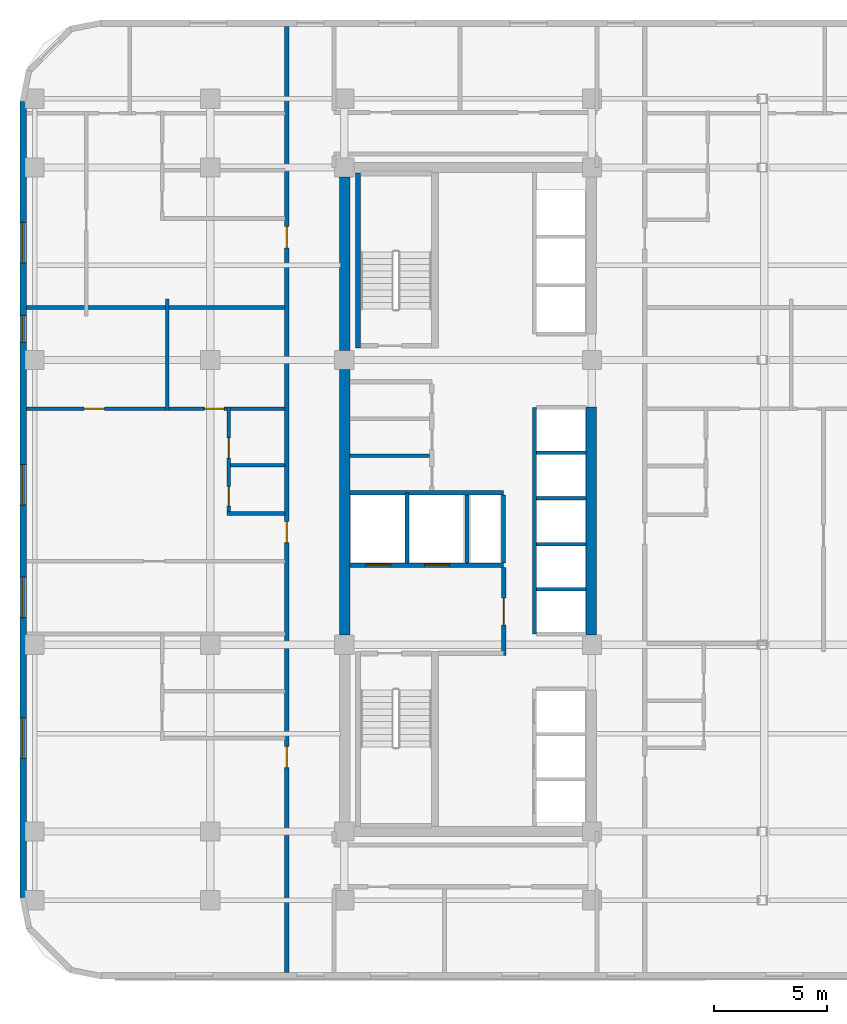
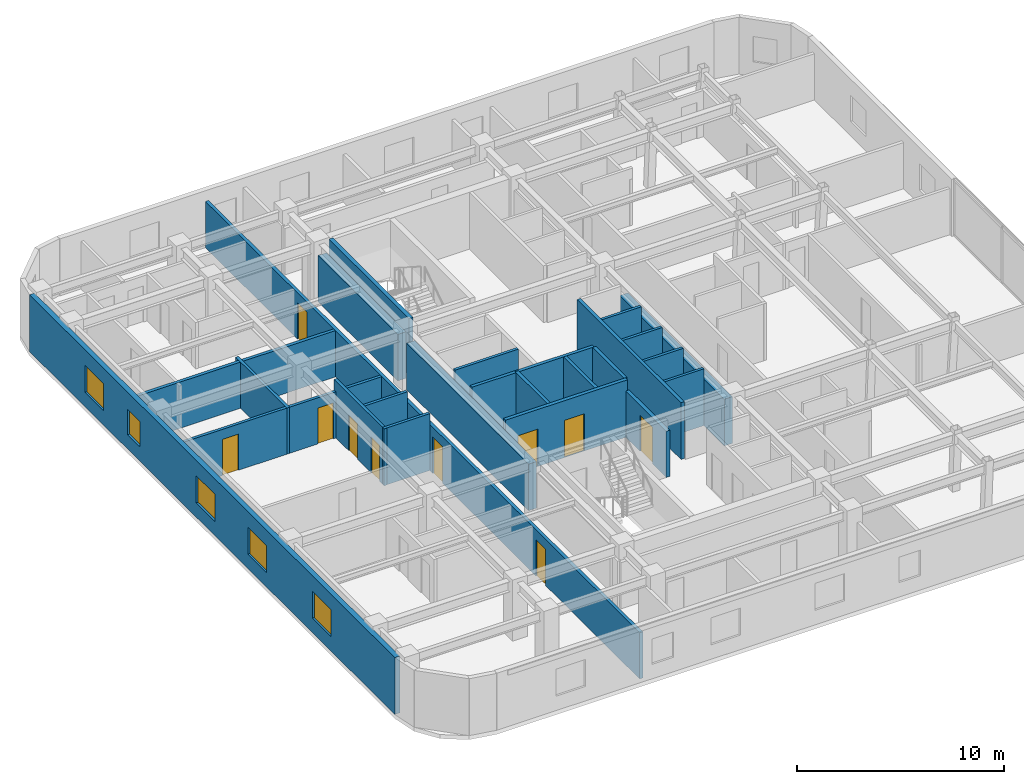
# One storey, part 5 of 12: 24 walls, 10 doors, 5 windows, 15 openings.
"""IFC4 building model written with IfcOpenShell, lengths in metres."""

from ifc_helpers import new_model, si_unit, direction, frame, frame_2d, origin, place, context, subcontext, project, spatial, rectangle, extrude, material, layer, layer_set, type_object, element, fill, save


model = new_model("IFC4")

# Units and contexts
model_context = context("Model", 3, precision=1e-05, world=origin(), true_north=direction((0.0, 1.0)))
body_context = subcontext(model_context, "Body", "Model", "MODEL_VIEW")
ifc_project = project(units=[si_unit("LENGTHUNIT", "METRE"), si_unit("AREAUNIT", "SQUARE_METRE"), si_unit("VOLUMEUNIT", "CUBIC_METRE"), si_unit("PLANEANGLEUNIT", "RADIAN"), si_unit("MASSUNIT", "GRAM", prefix="KILO")], contexts=[model_context])

# Site, building, storey
site_placement = place(None, origin())
site = spatial("IfcSite", under=ifc_project, at=site_placement, CompositionType="ELEMENT")
building_placement = place(site_placement, origin())
building = spatial("IfcBuilding", under=site, at=building_placement, Name="Ochreholt Gables", CompositionType="ELEMENT")
storey_placement = place(building_placement, frame((0.0, 0.0, 80.39990234375)))
storey = spatial("IfcBuildingStorey", under=building, at=storey_placement, Name="L20", CompositionType="ELEMENT", Elevation=80.39990234375)

# Walls
ifc_material_1 = material(Name="Concrete 60 MPa", Category="concrete")
ifc_layer_1 = layer(ifc_material_1, 0.449951171875, Name="Concrete 60 MPa")
ifc_layer_set_1 = layer_set([ifc_layer_1], Name="Concrete 60 MPa")
wall_type_1 = type_object("IfcWallType", Name="WALL-CSW-450", PredefinedType="SHEAR", material=ifc_layer_set_1)
wall_1_placement = place(storey_placement, frame((24.22509765625, 17.97509765625, 0.0), z_axis=(0.0, 0.0, 1.0), x_axis=(0.0, 1.0, 0.0)))
element("IfcWall", 1, at=wall_1_placement, inside=storey, type_object=wall_type_1, Name="L20 Core West Shear Wall WM", PredefinedType="SHEAR", context=body_context, shape_type="SweptSolid", body=[
    extrude(rectangle(XDim=11.7998046875, YDim=0.449951171875, at=frame_2d((5.89990234375, 0.0))), origin(), (0.0, 0.0, 1.0), 2.7490234375),
])
wall_2_placement = place(storey_placement, frame((24.22509765625, 30.625, 0.0), z_axis=(0.0, 0.0, 1.0), x_axis=(0.0, 1.0, 0.0)))
element("IfcWall", 2, at=wall_2_placement, inside=storey, type_object=wall_type_1, Name="L20 Core West Shear Wall WN", PredefinedType="SHEAR", context=body_context, shape_type="SweptSolid", body=[
    extrude(rectangle(XDim=7.699951171875, YDim=0.449951171875, at=frame_2d((3.85009765625, 0.0))), origin(), (0.0, 0.0, 1.0), 2.7490234375),
])
wall_3_placement = place(storey_placement, frame((35.175048828125, 17.97509765625, 0.0), z_axis=(0.0, 0.0, 1.0), x_axis=(0.0, 1.0, 0.0)))
element("IfcWall", 3, at=wall_3_placement, inside=storey, type_object=wall_type_1, Name="L20 Core Central-East Shear Wall", PredefinedType="SHEAR", context=body_context, shape_type="SweptSolid", body=[
    extrude(rectangle(XDim=10.125, YDim=0.449951171875, at=frame_2d((5.0625, 0.0))), origin(), (0.0, 0.0, 1.0), 2.7490234375),
])

# Wall, openings, windows
ifc_material_2 = material(Name="Precast concrete 40 MPa", Category="concrete")
ifc_layer_2 = layer(ifc_material_2, 0.280029296875, Name="Precast concrete 40 MPa")
ifc_layer_set_2 = layer_set([ifc_layer_2], Name="Precast concrete 40 MPa")
wall_type_2 = type_object("IfcWallType", Name="WALL-EXT-280", PredefinedType="SOLIDWALL", material=ifc_layer_set_2)
wall_4_placement = place(storey_placement, frame((9.93994140625, 41.679931640625, 0.0), z_axis=(0.0, 0.0, 1.0), x_axis=(0.0, -1.0, 0.0)))
wall_4 = element("IfcWall", 4, at=wall_4_placement, inside=storey, type_object=wall_type_2, Name="L20 West Exterior Wall", PredefinedType="SOLIDWALL", context=body_context, shape_type="SweptSolid", body=[
    extrude(rectangle(XDim=35.35986328125, YDim=0.280029296875, at=frame_2d((17.679931640625, 0.0))), origin(), (0.0, 0.0, 1.0), 3.360107421875),
])
opening_1_placement = place(wall_4_placement, frame((27.3798828125, 0.0, 0.85009765625)))
opening_1 = element("IfcOpeningElement", 5, at=opening_1_placement, cuts=wall_4, Name="Opening WN-1", PredefinedType="OPENING", context=body_context, shape_type="SweptSolid", body=[
    extrude(rectangle(XDim=1.800048828125, YDim=1.60009765625, at=frame_2d((0.89990234375, 0.800048828125))), frame((0.0, 0.14990234375, 0.0), z_axis=(0.0, -1.0, 0.0), x_axis=(1.0, 0.0, 0.0)), (0.0, 0.0, 1.0), 0.300048828125),
])
opening_2_placement = place(wall_4_placement, frame((21.131103515625, 0.0, 0.85009765625)))
opening_2 = element("IfcOpeningElement", 6, at=opening_2_placement, cuts=wall_4, Name="Opening WN-1", PredefinedType="OPENING", context=body_context, shape_type="SweptSolid", body=[
    extrude(rectangle(XDim=1.800048828125, YDim=1.60009765625, at=frame_2d((0.89990234375, 0.800048828125))), frame((0.0, 0.14990234375, 0.0), z_axis=(0.0, -1.0, 0.0), x_axis=(1.0, 0.0, 0.0)), (0.0, 0.0, 1.0), 0.300048828125),
])
opening_3_placement = place(wall_4_placement, frame((16.134033203125, 0.0, 0.85009765625)))
opening_3 = element("IfcOpeningElement", 7, at=opening_3_placement, cuts=wall_4, Name="Opening WN-1", PredefinedType="OPENING", context=body_context, shape_type="SweptSolid", body=[
    extrude(rectangle(XDim=1.800048828125, YDim=1.60009765625, at=frame_2d((0.89990234375, 0.800048828125))), frame((0.0, 0.14990234375, 0.0), z_axis=(0.0, -1.0, 0.0), x_axis=(1.0, 0.0, 0.0)), (0.0, 0.0, 1.0), 0.300048828125),
])
opening_4_placement = place(wall_4_placement, frame((9.5, 0.0, 0.85009765625)))
opening_4 = element("IfcOpeningElement", 8, at=opening_4_placement, cuts=wall_4, Name="Opening WN-3", PredefinedType="OPENING", context=body_context, shape_type="SweptSolid", body=[
    extrude(rectangle(XDim=1.199951171875, YDim=1.5, at=frame_2d((0.60009765625, 0.75))), frame((0.0, 0.14990234375, 0.0), z_axis=(0.0, -1.0, 0.0), x_axis=(1.0, 0.0, 0.0)), (0.0, 0.0, 1.0), 0.300048828125),
])
opening_5_placement = place(wall_4_placement, frame((5.364990234375, 0.0, 0.85009765625)))
opening_5 = element("IfcOpeningElement", 9, at=opening_5_placement, cuts=wall_4, Name="Opening WN-1", PredefinedType="OPENING", context=body_context, shape_type="SweptSolid", body=[
    extrude(rectangle(XDim=1.800048828125, YDim=1.60009765625, at=frame_2d((0.89990234375, 0.800048828125))), frame((0.0, 0.14990234375, 0.0), z_axis=(0.0, -1.0, 0.0), x_axis=(1.0, 0.0, 0.0)), (0.0, 0.0, 1.0), 0.300048828125),
])
ifc_material_3 = material(Name="Triple-Glazed Thermally Broken Aluminium Window", Category="aluminium")
window_type_1 = type_object("IfcWindowType", Name="WIN-RES-1200", PartitioningType="SINGLE_PANEL", PredefinedType="WINDOW", material=ifc_material_3)
window_1_placement = place(opening_4_placement, origin())
window_1 = element("IfcWindow", 10, at=window_1_placement, inside=storey, type_object=window_type_1, Name="L20 Window W-EXT-W-L20-4", OverallHeight=1.5, OverallWidth=1.199951171875, PartitioningType="SINGLE_PANEL", PredefinedType="WINDOW", context=body_context, shape_type="SweptSolid", body=[
    extrude(rectangle(XDim=1.199951171875, YDim=1.5, at=frame_2d((0.60009765625, 0.75))), frame((0.0, 0.030029296875, 0.0), z_axis=(0.0, -1.0, 0.0), x_axis=(1.0, 0.0, 0.0)), (0.0, 0.0, 1.0), 0.06005859375),
])
fill(opening_4, window_1)
window_type_2 = type_object("IfcWindowType", Name="WIN-RES-1800", PartitioningType="SINGLE_PANEL", PredefinedType="WINDOW", material=ifc_material_3)
window_2_placement = place(opening_1_placement, origin())
window_2 = element("IfcWindow", 11, at=window_2_placement, inside=storey, type_object=window_type_2, Name="L20 Window W-EXT-W-L20-1", OverallHeight=1.60009765625, OverallWidth=1.800048828125, PartitioningType="SINGLE_PANEL", PredefinedType="WINDOW", context=body_context, shape_type="SweptSolid", body=[
    extrude(rectangle(XDim=1.800048828125, YDim=1.60009765625, at=frame_2d((0.89990234375, 0.800048828125))), frame((0.0, 0.030029296875, 0.0), z_axis=(0.0, -1.0, 0.0), x_axis=(1.0, 0.0, 0.0)), (0.0, 0.0, 1.0), 0.06005859375),
])
fill(opening_1, window_2)
window_3_placement = place(opening_2_placement, origin())
window_3 = element("IfcWindow", 12, at=window_3_placement, inside=storey, type_object=window_type_2, Name="L20 Window W-EXT-W-L20-2", OverallHeight=1.60009765625, OverallWidth=1.800048828125, PartitioningType="SINGLE_PANEL", PredefinedType="WINDOW", context=body_context, shape_type="SweptSolid", body=[
    extrude(rectangle(XDim=1.800048828125, YDim=1.60009765625, at=frame_2d((0.89990234375, 0.800048828125))), frame((0.0, 0.030029296875, 0.0), z_axis=(0.0, -1.0, 0.0), x_axis=(1.0, 0.0, 0.0)), (0.0, 0.0, 1.0), 0.06005859375),
])
fill(opening_2, window_3)
window_4_placement = place(opening_3_placement, origin())
window_4 = element("IfcWindow", 13, at=window_4_placement, inside=storey, type_object=window_type_2, Name="L20 Window W-EXT-W-L20-3", OverallHeight=1.60009765625, OverallWidth=1.800048828125, PartitioningType="SINGLE_PANEL", PredefinedType="WINDOW", context=body_context, shape_type="SweptSolid", body=[
    extrude(rectangle(XDim=1.800048828125, YDim=1.60009765625, at=frame_2d((0.89990234375, 0.800048828125))), frame((0.0, 0.030029296875, 0.0), z_axis=(0.0, -1.0, 0.0), x_axis=(1.0, 0.0, 0.0)), (0.0, 0.0, 1.0), 0.06005859375),
])
fill(opening_3, window_4)
window_5_placement = place(opening_5_placement, origin())
window_5 = element("IfcWindow", 14, at=window_5_placement, inside=storey, type_object=window_type_2, Name="L20 Window W-EXT-W-L20-5", OverallHeight=1.60009765625, OverallWidth=1.800048828125, PartitioningType="SINGLE_PANEL", PredefinedType="WINDOW", context=body_context, shape_type="SweptSolid", body=[
    extrude(rectangle(XDim=1.800048828125, YDim=1.60009765625, at=frame_2d((0.89990234375, 0.800048828125))), frame((0.0, 0.030029296875, 0.0), z_axis=(0.0, -1.0, 0.0), x_axis=(1.0, 0.0, 0.0)), (0.0, 0.0, 1.0), 0.06005859375),
])
fill(opening_5, window_5)

# Wall, openings, doors
ifc_material_4 = material(Name="Concrete 40 MPa", Category="concrete")
ifc_layer_3 = layer(ifc_material_4, 0.199951171875, Name="Concrete 40 MPa")
ifc_layer_set_3 = layer_set([ifc_layer_3], Name="Concrete 40 MPa")
wall_type_3 = type_object("IfcWallType", Name="WALL-INT-CF200", PredefinedType="STANDARD", material=ifc_layer_set_3)
wall_5_placement = place(storey_placement, frame((24.449951171875, 21.090087890625, 0.0), z_axis=(0.0, 0.0, 1.0), x_axis=(1.0, 0.0, 0.0)))
wall_5 = element("IfcWall", 15, at=wall_5_placement, inside=storey, type_object=wall_type_3, Name="L20 Interior Wall WI-FFN-L20", PredefinedType="STANDARD", context=body_context, shape_type="SweptSolid", body=[
    extrude(rectangle(XDim=6.830078125, YDim=0.199951171875, at=frame_2d((3.4150390625, 0.0))), origin(), (0.0, 0.0, 1.0), 3.360107421875),
])
opening_6_placement = place(wall_5_placement, frame((0.719970703125, 0.0, 0.0)))
opening_6 = element("IfcOpeningElement", 16, at=opening_6_placement, cuts=wall_5, Name="Opening LD-FF", PredefinedType="OPENING", context=body_context, shape_type="SweptSolid", body=[
    extrude(rectangle(XDim=1.10009765625, YDim=2.199951171875, at=frame_2d((0.550048828125, 1.10009765625))), frame((0.0, 0.10986328125, 0.0), z_axis=(0.0, -1.0, 0.0), x_axis=(1.0, 0.0, 0.0)), (0.0, 0.0, 1.0), 0.219970703125),
])
opening_7_placement = place(wall_5_placement, frame((3.320068359375, 0.0, 0.0)))
opening_7 = element("IfcOpeningElement", 17, at=opening_7_placement, cuts=wall_5, Name="Opening LD-FF", PredefinedType="OPENING", context=body_context, shape_type="SweptSolid", body=[
    extrude(rectangle(XDim=1.10009765625, YDim=2.199951171875, at=frame_2d((0.550048828125, 1.10009765625))), frame((0.0, 0.10986328125, 0.0), z_axis=(0.0, -1.0, 0.0), x_axis=(1.0, 0.0, 0.0)), (0.0, 0.0, 1.0), 0.219970703125),
])
ifc_material_5 = material(Name="Stainless Steel", Category="steel")
door_type_1 = type_object("IfcDoorType", Name="DR-LFT-FF1100", OperationType="NOTDEFINED", PredefinedType="DOOR", material=ifc_material_5)
door_1_placement = place(opening_6_placement, origin())
door_1 = element("IfcDoor", 18, at=door_1_placement, inside=storey, type_object=door_type_1, Name="L20 Door LD-FF1-L20", OperationType="SLIDING_TO_LEFT", OverallHeight=2.199951171875, OverallWidth=1.10009765625, PredefinedType="DOOR", context=body_context, shape_type="SweptSolid", body=[
    extrude(rectangle(XDim=1.10009765625, YDim=2.199951171875, at=frame_2d((0.550048828125, 1.10009765625))), frame((0.0, 0.02490234375, 0.0), z_axis=(0.0, -1.0, 0.0), x_axis=(1.0, 0.0, 0.0)), (0.0, 0.0, 1.0), 0.050048828125),
])
fill(opening_6, door_1)
door_2_placement = place(opening_7_placement, origin())
door_2 = element("IfcDoor", 19, at=door_2_placement, inside=storey, type_object=door_type_1, Name="L20 Door LD-FF2-L20", OperationType="SLIDING_TO_LEFT", OverallHeight=2.199951171875, OverallWidth=1.10009765625, PredefinedType="DOOR", context=body_context, shape_type="SweptSolid", body=[
    extrude(rectangle(XDim=1.10009765625, YDim=2.199951171875, at=frame_2d((0.550048828125, 1.10009765625))), frame((0.0, 0.02490234375, 0.0), z_axis=(0.0, -1.0, 0.0), x_axis=(1.0, 0.0, 0.0)), (0.0, 0.0, 1.0), 0.050048828125),
])
fill(opening_7, door_2)

# Wall, opening, door
wall_6_placement = place(storey_placement, frame((31.280029296875, 17.070068359375, 0.0), z_axis=(0.0, 0.0, 1.0), x_axis=(0.0, 1.0, 0.0)))
wall_6 = element("IfcWall", 20, at=wall_6_placement, inside=storey, type_object=wall_type_3, Name="L20 Interior Wall WI-FFE-L20", PredefinedType="STANDARD", context=body_context, shape_type="SweptSolid", body=[
    extrude(rectangle(XDim=3.919921875, YDim=0.199951171875, at=frame_2d((1.9599609375, 0.0))), origin(), (0.0, 0.0, 1.0), 2.731201171875),
])
opening_8_placement = place(wall_6_placement, frame((1.35009765625, 0.0, 0.0)))
opening_8 = element("IfcOpeningElement", 21, at=opening_8_placement, cuts=wall_6, Name="Opening D-FFL", PredefinedType="OPENING", context=body_context, shape_type="SweptSolid", body=[
    extrude(rectangle(XDim=1.199951171875, YDim=2.14990234375, at=frame_2d((0.60009765625, 1.074951171875))), frame((0.0, 0.10986328125, 0.0), z_axis=(0.0, -1.0, 0.0), x_axis=(1.0, 0.0, 0.0)), (0.0, 0.0, 1.0), 0.219970703125),
])
ifc_material_6 = material(Name="Hollow Metal Steel", Category="steel")
door_type_2 = type_object("IfcDoorType", Name="DR-INT-FFL1200", OperationType="NOTDEFINED", PredefinedType="DOOR", material=ifc_material_6)
door_3_placement = place(opening_8_placement, origin())
door_3 = element("IfcDoor", 22, at=door_3_placement, inside=storey, type_object=door_type_2, Name="L20 Door D-FFL-L20", OperationType="SINGLE_SWING_LEFT", OverallHeight=2.14990234375, OverallWidth=1.199951171875, PredefinedType="DOOR", context=body_context, shape_type="SweptSolid", body=[
    extrude(rectangle(XDim=1.199951171875, YDim=2.14990234375, at=frame_2d((0.60009765625, 1.074951171875))), frame((0.0, 0.02490234375, 0.0), z_axis=(0.0, -1.0, 0.0), x_axis=(1.0, 0.0, 0.0)), (0.0, 0.0, 1.0), 0.050048828125),
])
fill(opening_8, door_3)

# Wall, openings, doors
ifc_material_7 = material(Name="Fire-Rated Gypsum Acoustic Partition", Category="gypsum")
ifc_layer_4 = layer(ifc_material_7, 0.179931640625, Name="Fire-Rated Gypsum Acoustic Partition")
ifc_layer_set_4 = layer_set([ifc_layer_4], Name="Fire-Rated Gypsum Acoustic Partition")
wall_type_4 = type_object("IfcWallType", Name="WALL-INT-CR180", PredefinedType="STANDARD", material=ifc_layer_set_4)
wall_7_placement = place(storey_placement, frame((21.64990234375, 2.97998046875, 0.0), z_axis=(0.0, 0.0, 1.0), x_axis=(0.0, 1.0, 0.0)))
wall_7 = element("IfcWall", 23, at=wall_7_placement, inside=storey, type_object=wall_type_4, Name="L20 Interior Wall WI-C1W-L20", PredefinedType="STANDARD", context=body_context, shape_type="SweptSolid", body=[
    extrude(rectangle(XDim=42.0400390625, YDim=0.179931640625, at=frame_2d((21.02001953125, 0.0))), origin(), (0.0, 0.0, 1.0), 2.731201171875),
])
opening_9_placement = place(wall_7_placement, frame((9.115966796875, 0.0, 0.0)))
opening_9 = element("IfcOpeningElement", 24, at=opening_9_placement, cuts=wall_7, Name="Opening D-UN2", PredefinedType="OPENING", context=body_context, shape_type="SweptSolid", body=[
    extrude(rectangle(XDim=0.93994140625, YDim=2.14990234375, at=frame_2d((0.469970703125, 1.074951171875))), frame((0.0, 0.099853515625, 0.0), z_axis=(0.0, -1.0, 0.0), x_axis=(1.0, 0.0, 0.0)), (0.0, 0.0, 1.0), 0.199951171875),
])
opening_10_placement = place(wall_7_placement, frame((19.10009765625, 0.0, 0.0)))
opening_10 = element("IfcOpeningElement", 25, at=opening_10_placement, cuts=wall_7, Name="Opening D-UN2", PredefinedType="OPENING", context=body_context, shape_type="SweptSolid", body=[
    extrude(rectangle(XDim=0.93994140625, YDim=2.14990234375, at=frame_2d((0.469970703125, 1.074951171875))), frame((0.0, 0.099853515625, 0.0), z_axis=(0.0, -1.0, 0.0), x_axis=(1.0, 0.0, 0.0)), (0.0, 0.0, 1.0), 0.199951171875),
])
opening_11_placement = place(wall_7_placement, frame((32.201416015625, 0.0, 0.0)))
opening_11 = element("IfcOpeningElement", 26, at=opening_11_placement, cuts=wall_7, Name="Opening D-UN2", PredefinedType="OPENING", context=body_context, shape_type="SweptSolid", body=[
    extrude(rectangle(XDim=0.93994140625, YDim=2.14990234375, at=frame_2d((0.469970703125, 1.074951171875))), frame((0.0, 0.099853515625, 0.0), z_axis=(0.0, -1.0, 0.0), x_axis=(1.0, 0.0, 0.0)), (0.0, 0.0, 1.0), 0.199951171875),
])
ifc_material_8 = material(Name="Engineered Oak Timber", Category="wood")
door_type_3 = type_object("IfcDoorType", Name="DR-INT-UNT940", OperationType="NOTDEFINED", PredefinedType="DOOR", material=ifc_material_8)
door_4_placement = place(opening_9_placement, origin())
door_4 = element("IfcDoor", 27, at=door_4_placement, inside=storey, type_object=door_type_3, Name="L20 Door D-U-L20W1-ENT", OperationType="SINGLE_SWING_LEFT", OverallHeight=2.14990234375, OverallWidth=0.93994140625, PredefinedType="DOOR", context=body_context, shape_type="SweptSolid", body=[
    extrude(rectangle(XDim=0.93994140625, YDim=2.14990234375, at=frame_2d((0.469970703125, 1.074951171875))), frame((0.0, 0.02490234375, 0.0), z_axis=(0.0, -1.0, 0.0), x_axis=(1.0, 0.0, 0.0)), (0.0, 0.0, 1.0), 0.050048828125),
])
fill(opening_9, door_4)
door_5_placement = place(opening_10_placement, origin())
door_5 = element("IfcDoor", 28, at=door_5_placement, inside=storey, type_object=door_type_3, Name="L20 Door D-U-L20W2-ENT", OperationType="SINGLE_SWING_RIGHT", OverallHeight=2.14990234375, OverallWidth=0.93994140625, PredefinedType="DOOR", context=body_context, shape_type="SweptSolid", body=[
    extrude(rectangle(XDim=0.93994140625, YDim=2.14990234375, at=frame_2d((0.469970703125, 1.074951171875))), frame((0.0, 0.02490234375, 0.0), z_axis=(0.0, -1.0, 0.0), x_axis=(1.0, 0.0, 0.0)), (0.0, 0.0, 1.0), 0.050048828125),
])
fill(opening_10, door_5)
door_6_placement = place(opening_11_placement, origin())
door_6 = element("IfcDoor", 29, at=door_6_placement, inside=storey, type_object=door_type_3, Name="L20 Door D-U-L20W3-ENT", OperationType="SINGLE_SWING_LEFT", OverallHeight=2.14990234375, OverallWidth=0.93994140625, PredefinedType="DOOR", context=body_context, shape_type="SweptSolid", body=[
    extrude(rectangle(XDim=0.93994140625, YDim=2.14990234375, at=frame_2d((0.469970703125, 1.074951171875))), frame((0.0, 0.02490234375, 0.0), z_axis=(0.0, -1.0, 0.0), x_axis=(1.0, 0.0, 0.0)), (0.0, 0.0, 1.0), 0.050048828125),
])
fill(opening_11, door_6)

# Walls
ifc_material_9 = material(Name="Double-Stud Acoustic Demising Wall", Category="gypsum")
ifc_layer_5 = layer(ifc_material_9, 0.179931640625, Name="Double-Stud Acoustic Demising Wall")
ifc_layer_set_5 = layer_set([ifc_layer_5], Name="Double-Stud Acoustic Demising Wall")
wall_type_5 = type_object("IfcWallType", Name="WALL-INT-DM180", PredefinedType="PARTITIONING", material=ifc_layer_set_5)
wall_8_placement = place(storey_placement, frame((10.080078125, 32.52001953125, 0.0), z_axis=(0.0, 0.0, 1.0), x_axis=(1.0, 0.0, 0.0)))
element("IfcWall", 30, at=wall_8_placement, inside=storey, type_object=wall_type_5, Name="L20 Interior Wall WI-UDW3-L20", PredefinedType="PARTITIONING", context=body_context, shape_type="SweptSolid", body=[
    extrude(rectangle(XDim=11.47998046875, YDim=0.179931640625, at=frame_2d((5.739990234375, 0.0))), origin(), (0.0, 0.0, 1.0), 2.731201171875),
])
ifc_material_10 = material(Name="Moisture-Resistant Plumbing Chase Wall", Category="gypsum")
ifc_layer_6 = layer(ifc_material_10, 0.159912109375, Name="Moisture-Resistant Plumbing Chase Wall")
ifc_layer_set_6 = layer_set([ifc_layer_6], Name="Moisture-Resistant Plumbing Chase Wall")
wall_type_6 = type_object("IfcWallType", Name="WALL-INT-PL160", PredefinedType="PLUMBINGWALL", material=ifc_layer_set_6)
wall_9_placement = place(storey_placement, frame((19.0, 23.3798828125, 0.0), z_axis=(0.0, 0.0, 1.0), x_axis=(1.0, 0.0, 0.0)))
element("IfcWall", 31, at=wall_9_placement, inside=storey, type_object=wall_type_6, Name="L20 Interior Wall WU-L20W2-FYS", PredefinedType="PLUMBINGWALL", context=body_context, shape_type="SweptSolid", body=[
    extrude(rectangle(XDim=2.56005859375, YDim=0.159912109375, at=frame_2d((1.280029296875, 0.0))), origin(), (0.0, 0.0, 1.0), 3.360107421875),
])

# Wall, openings, doors
wall_10_placement = place(storey_placement, frame((19.080078125, 23.2900390625, 0.0), z_axis=(0.0, 0.0, 1.0), x_axis=(0.0, 1.0, 0.0)))
wall_10 = element("IfcWall", 32, at=wall_10_placement, inside=storey, type_object=wall_type_6, Name="L20 Interior Wall WU-L20W2-WX", PredefinedType="PLUMBINGWALL", context=body_context, shape_type="SweptSolid", body=[
    extrude(rectangle(XDim=4.830078125, YDim=0.159912109375, at=frame_2d((2.4150390625, 0.0))), origin(), (0.0, 0.0, 1.0), 3.360107421875),
])
opening_12_placement = place(wall_10_placement, frame((0.419921875, 0.0, 0.0)))
opening_12 = element("IfcOpeningElement", 33, at=opening_12_placement, cuts=wall_10, Name="Opening D-BT1", PredefinedType="OPENING", context=body_context, shape_type="SweptSolid", body=[
    extrude(rectangle(XDim=0.860107421875, YDim=2.1201171875, at=frame_2d((0.43017578125, 1.06005859375))), frame((0.0, 0.08984375, 0.0), z_axis=(0.0, -1.0, 0.0), x_axis=(1.0, 0.0, 0.0)), (0.0, 0.0, 1.0), 0.179931640625),
])
opening_13_placement = place(wall_10_placement, frame((2.55908203125, 0.0, 0.0)))
opening_13 = element("IfcOpeningElement", 34, at=opening_13_placement, cuts=wall_10, Name="Opening D-GN2", PredefinedType="OPENING", context=body_context, shape_type="SweptSolid", body=[
    extrude(rectangle(XDim=0.8798828125, YDim=2.1201171875, at=frame_2d((0.43994140625, 1.06005859375))), frame((0.0, 0.08984375, 0.0), z_axis=(0.0, -1.0, 0.0), x_axis=(1.0, 0.0, 0.0)), (0.0, 0.0, 1.0), 0.179931640625),
])
door_type_4 = type_object("IfcDoorType", Name="DR-INT-BTH860", OperationType="NOTDEFINED", PredefinedType="DOOR", material=ifc_material_8)
door_7_placement = place(opening_12_placement, origin())
door_7 = element("IfcDoor", 35, at=door_7_placement, inside=storey, type_object=door_type_4, Name="L20 Door D-U-L20W2-BTH", OperationType="SINGLE_SWING_LEFT", OverallHeight=2.1201171875, OverallWidth=0.860107421875, PredefinedType="DOOR", context=body_context, shape_type="SweptSolid", body=[
    extrude(rectangle(XDim=0.860107421875, YDim=2.1201171875, at=frame_2d((0.43017578125, 1.06005859375))), frame((0.0, 0.02490234375, 0.0), z_axis=(0.0, -1.0, 0.0), x_axis=(1.0, 0.0, 0.0)), (0.0, 0.0, 1.0), 0.050048828125),
])
fill(opening_12, door_7)
door_type_5 = type_object("IfcDoorType", Name="DR-INT-GEN880", OperationType="NOTDEFINED", PredefinedType="DOOR", material=ifc_material_8)
door_8_placement = place(opening_13_placement, origin())
door_8 = element("IfcDoor", 36, at=door_8_placement, inside=storey, type_object=door_type_5, Name="L20 Door D-U-L20W2-KIT", OperationType="SINGLE_SWING_RIGHT", OverallHeight=2.1201171875, OverallWidth=0.8798828125, PredefinedType="DOOR", context=body_context, shape_type="SweptSolid", body=[
    extrude(rectangle(XDim=0.8798828125, YDim=2.1201171875, at=frame_2d((0.43994140625, 1.06005859375))), frame((0.0, 0.02490234375, 0.0), z_axis=(0.0, -1.0, 0.0), x_axis=(1.0, 0.0, 0.0)), (0.0, 0.0, 1.0), 0.050048828125),
])
fill(opening_13, door_8)

# Walls
wall_11_placement = place(storey_placement, frame((19.159912109375, 25.51904296875, 0.0), z_axis=(0.0, 0.0, 1.0), x_axis=(1.0, 0.0, 0.0)))
element("IfcWall", 37, at=wall_11_placement, inside=storey, type_object=wall_type_6, Name="L20 Interior Wall WU-L20W2-WK", PredefinedType="PLUMBINGWALL", context=body_context, shape_type="SweptSolid", body=[
    extrude(rectangle(XDim=2.400146484375, YDim=0.159912109375, at=frame_2d((1.2001953125, 0.0))), origin(), (0.0, 0.0, 1.0), 3.360107421875),
])
ifc_material_11 = material(Name="Gypsum Acoustic Stud Partition", Category="gypsum")
ifc_layer_7 = layer(ifc_material_11, 0.159912109375, Name="Gypsum Acoustic Stud Partition")
ifc_layer_set_7 = layer_set([ifc_layer_7], Name="Gypsum Acoustic Stud Partition")
wall_type_7 = type_object("IfcWallType", Name="WALL-INT-PT160", PredefinedType="PARTITIONING", material=ifc_layer_set_7)
wall_12_placement = place(storey_placement, frame((24.449951171875, 25.949951171875, 0.0), z_axis=(0.0, 0.0, 1.0), x_axis=(1.0, 0.0, 0.0)))
element("IfcWall", 38, at=wall_12_placement, inside=storey, type_object=wall_type_7, Name="L20 Interior Wall WI-SRVP1-L20", PredefinedType="PARTITIONING", context=body_context, shape_type="SweptSolid", body=[
    extrude(rectangle(XDim=3.550048828125, YDim=0.159912109375, at=frame_2d((1.77490234375, 0.0))), origin(), (0.0, 0.0, 1.0), 3.360107421875),
])

# Wall, openings, doors
wall_13_placement = place(storey_placement, frame((10.080078125, 28.030029296875, 0.0), z_axis=(0.0, 0.0, 1.0), x_axis=(1.0, 0.0, 0.0)))
wall_13 = element("IfcWall", 39, at=wall_13_placement, inside=storey, type_object=wall_type_7, Name="L20 Interior Wall WU-L20W2-MN", PredefinedType="PARTITIONING", context=body_context, shape_type="SweptSolid", body=[
    extrude(rectangle(XDim=11.47998046875, YDim=0.159912109375, at=frame_2d((5.739990234375, 0.0))), origin(), (0.0, 0.0, 1.0), 2.731201171875),
])
opening_14_placement = place(wall_13_placement, frame((7.91259765625, 0.0, 0.0)))
opening_14 = element("IfcOpeningElement", 40, at=opening_14_placement, cuts=wall_13, Name="Opening D-GN2", PredefinedType="OPENING", context=body_context, shape_type="SweptSolid", body=[
    extrude(rectangle(XDim=0.8798828125, YDim=2.1201171875, at=frame_2d((0.43994140625, 1.06005859375))), frame((0.0, 0.08984375, 0.0), z_axis=(0.0, -1.0, 0.0), x_axis=(1.0, 0.0, 0.0)), (0.0, 0.0, 1.0), 0.179931640625),
])
opening_15_placement = place(wall_13_placement, frame((2.56787109375, 0.0, 0.0)))
opening_15 = element("IfcOpeningElement", 41, at=opening_15_placement, cuts=wall_13, Name="Opening D-BD1", PredefinedType="OPENING", context=body_context, shape_type="SweptSolid", body=[
    extrude(rectangle(XDim=0.89990234375, YDim=2.139892578125, at=frame_2d((0.449951171875, 1.06982421875))), frame((0.0, 0.08984375, 0.0), z_axis=(0.0, -1.0, 0.0), x_axis=(1.0, 0.0, 0.0)), (0.0, 0.0, 1.0), 0.179931640625),
])
door_type_6 = type_object("IfcDoorType", Name="DR-INT-BED900", OperationType="NOTDEFINED", PredefinedType="DOOR", material=ifc_material_8)
door_9_placement = place(opening_15_placement, origin())
door_9 = element("IfcDoor", 42, at=door_9_placement, inside=storey, type_object=door_type_6, Name="L20 Door D-U-L20W2-BD1", OperationType="SINGLE_SWING_LEFT", OverallHeight=2.139892578125, OverallWidth=0.89990234375, PredefinedType="DOOR", context=body_context, shape_type="SweptSolid", body=[
    extrude(rectangle(XDim=0.89990234375, YDim=2.139892578125, at=frame_2d((0.449951171875, 1.06982421875))), frame((0.0, 0.02490234375, 0.0), z_axis=(0.0, -1.0, 0.0), x_axis=(1.0, 0.0, 0.0)), (0.0, 0.0, 1.0), 0.050048828125),
])
fill(opening_15, door_9)
door_10_placement = place(opening_14_placement, origin())
door_10 = element("IfcDoor", 43, at=door_10_placement, inside=storey, type_object=door_type_5, Name="L20 Door D-U-L20W2-STD", OperationType="SINGLE_SWING_RIGHT", OverallHeight=2.1201171875, OverallWidth=0.8798828125, PredefinedType="DOOR", context=body_context, shape_type="SweptSolid", body=[
    extrude(rectangle(XDim=0.8798828125, YDim=2.1201171875, at=frame_2d((0.43994140625, 1.06005859375))), frame((0.0, 0.02490234375, 0.0), z_axis=(0.0, -1.0, 0.0), x_axis=(1.0, 0.0, 0.0)), (0.0, 0.0, 1.0), 0.050048828125),
])
fill(opening_14, door_10)

# Walls
wall_14_placement = place(storey_placement, frame((16.33544921875, 27.949951171875, 0.0), z_axis=(0.0, 0.0, 1.0), x_axis=(0.0, 1.0, 0.0)))
element("IfcWall", 44, at=wall_14_placement, inside=storey, type_object=wall_type_7, Name="L20 Interior Wall WU-L20W2-BSD", PredefinedType="PARTITIONING", context=body_context, shape_type="SweptSolid", body=[
    extrude(rectangle(XDim=4.9599609375, YDim=0.159912109375, at=frame_2d((2.47998046875, 0.0))), origin(), (0.0, 0.0, 1.0), 2.731201171875),
])
ifc_material_12 = material(Name="Gypsum Shaftliner and Steel Stud", Category="steel")
ifc_layer_8 = layer(ifc_material_12, 0.14990234375, Name="Gypsum Shaftliner and Steel Stud")
ifc_layer_set_8 = layer_set([ifc_layer_8], Name="Gypsum Shaftliner and Steel Stud")
wall_type_8 = type_object("IfcWallType", Name="WALL-INT-SH150", PredefinedType="STANDARD", material=ifc_layer_set_8)
for number, where, z_axis, x_axis, name in (
    (45, (32.739990234375, 20.02001953125, 0.0), (0.0, 0.0, 1.0), (1.0, 0.0, 0.0), "L20 Interior Wall WI-LFHE-DH1-L20"),
    (46, (32.739990234375, 22.02001953125, 0.0), (0.0, 0.0, 1.0), (1.0, 0.0, 0.0), "L20 Interior Wall WI-LFHE-DH2-L20"),
    (47, (32.739990234375, 24.050048828125, 0.0), (0.0, 0.0, 1.0), (1.0, 0.0, 0.0), "L20 Interior Wall WI-LFHE-DHE-L20"),
    (48, (32.739990234375, 26.070068359375, 0.0), (0.0, 0.0, 1.0), (1.0, 0.0, 0.0), "L20 Interior Wall WI-LFHE-DEX1-L20"),
):
    element("IfcWall", number, at=place(storey_placement, frame(where, z_axis=z_axis, x_axis=x_axis)), inside=storey, type_object=wall_type_8, Name=name, PredefinedType="STANDARD", context=body_context, shape_type="SweptSolid", body=[
        extrude(rectangle(XDim=2.2099609375, YDim=0.14990234375, at=frame_2d((1.10498046875, 0.0))), origin(), (0.0, 0.0, 1.0), 3.360107421875),
    ])
ifc_layer_9 = layer(ifc_material_12, 0.179931640625, Name="Gypsum Shaftliner and Steel Stud")
ifc_layer_set_9 = layer_set([ifc_layer_9], Name="Gypsum Shaftliner and Steel Stud")
wall_type_9 = type_object("IfcWallType", Name="WALL-INT-SH180", PredefinedType="STANDARD", material=ifc_layer_set_9)
wall_15_placement = place(storey_placement, frame((27.0, 21.18994140625, 0.0), z_axis=(0.0, 0.0, 1.0), x_axis=(0.0, 1.0, 0.0)))
element("IfcWall", 49, at=wall_15_placement, inside=storey, type_object=wall_type_9, Name="L20 Interior Wall WI-FFDIV-L20", PredefinedType="STANDARD", context=body_context, shape_type="SweptSolid", body=[
    extrude(rectangle(XDim=3.110107421875, YDim=0.179931640625, at=frame_2d((1.55517578125, 0.0))), origin(), (0.0, 0.0, 1.0), 3.360107421875),
])
wall_16_placement = place(storey_placement, frame((24.449951171875, 24.300048828125, 0.0), z_axis=(0.0, 0.0, 1.0), x_axis=(1.0, 0.0, 0.0)))
element("IfcWall", 50, at=wall_16_placement, inside=storey, type_object=wall_type_9, Name="L20 Interior Wall WI-FFBK-L20", PredefinedType="STANDARD", context=body_context, shape_type="SweptSolid", body=[
    extrude(rectangle(XDim=6.830078125, YDim=0.179931640625, at=frame_2d((3.4150390625, 0.0))), origin(), (0.0, 0.0, 1.0), 3.360107421875),
])
for number, where, z_axis, x_axis, name in (
    (51, (29.64990234375, 21.18994140625, 0.0), (0.0, 0.0, 1.0), (0.0, 1.0, 0.0), "L20 Interior Wall WI-FFSH-L20"),
    (52, (31.280029296875, 21.18994140625, 0.0), (0.0, 0.0, 1.0), (0.0, 1.0, 0.0), "L20 Interior Wall WI-RSE-L20"),
):
    element("IfcWall", number, at=place(storey_placement, frame(where, z_axis=z_axis, x_axis=x_axis)), inside=storey, type_object=wall_type_9, Name=name, PredefinedType="STANDARD", context=body_context, shape_type="SweptSolid", body=[
        extrude(rectangle(XDim=3.02001953125, YDim=0.179931640625, at=frame_2d((1.510009765625, 0.0))), origin(), (0.0, 0.0, 1.0), 3.360107421875),
    ])
wall_17_placement = place(storey_placement, frame((32.64990234375, 18.02001953125, 0.0), z_axis=(0.0, 0.0, 1.0), x_axis=(0.0, 1.0, 0.0)))
element("IfcWall", 53, at=wall_17_placement, inside=storey, type_object=wall_type_9, Name="L20 Interior Wall WI-LFHE-FR-L20", PredefinedType="STANDARD", context=body_context, shape_type="SweptSolid", body=[
    extrude(rectangle(XDim=10.06005859375, YDim=0.179931640625, at=frame_2d((5.030029296875, 0.0))), origin(), (0.0, 0.0, 1.0), 3.360107421875),
])
ifc_material_13 = material(Name="Concrete 50 MPa", Category="concrete")
ifc_layer_10 = layer(ifc_material_13, 0.219970703125, Name="Concrete 50 MPa")
ifc_layer_set_10 = layer_set([ifc_layer_10], Name="Concrete 50 MPa")
wall_type_10 = type_object("IfcWallType", Name="WALL-STW-220", PredefinedType="SHEAR", material=ifc_layer_set_10)
wall_18_placement = place(storey_placement, frame((24.81005859375, 30.739990234375, 0.0), z_axis=(0.0, 0.0, 1.0), x_axis=(0.0, 1.0, 0.0)))
element("IfcWall", 54, at=wall_18_placement, inside=storey, type_object=wall_type_10, Name="L20 Exit Stair 2 West Wall", PredefinedType="SHEAR", context=body_context, shape_type="SweptSolid", body=[
    extrude(rectangle(XDim=7.760009765625, YDim=0.219970703125, at=frame_2d((3.8798828125, 0.0))), origin(), (0.0, 0.0, 1.0), 3.360107421875),
])

save(model, "model.ifc")
